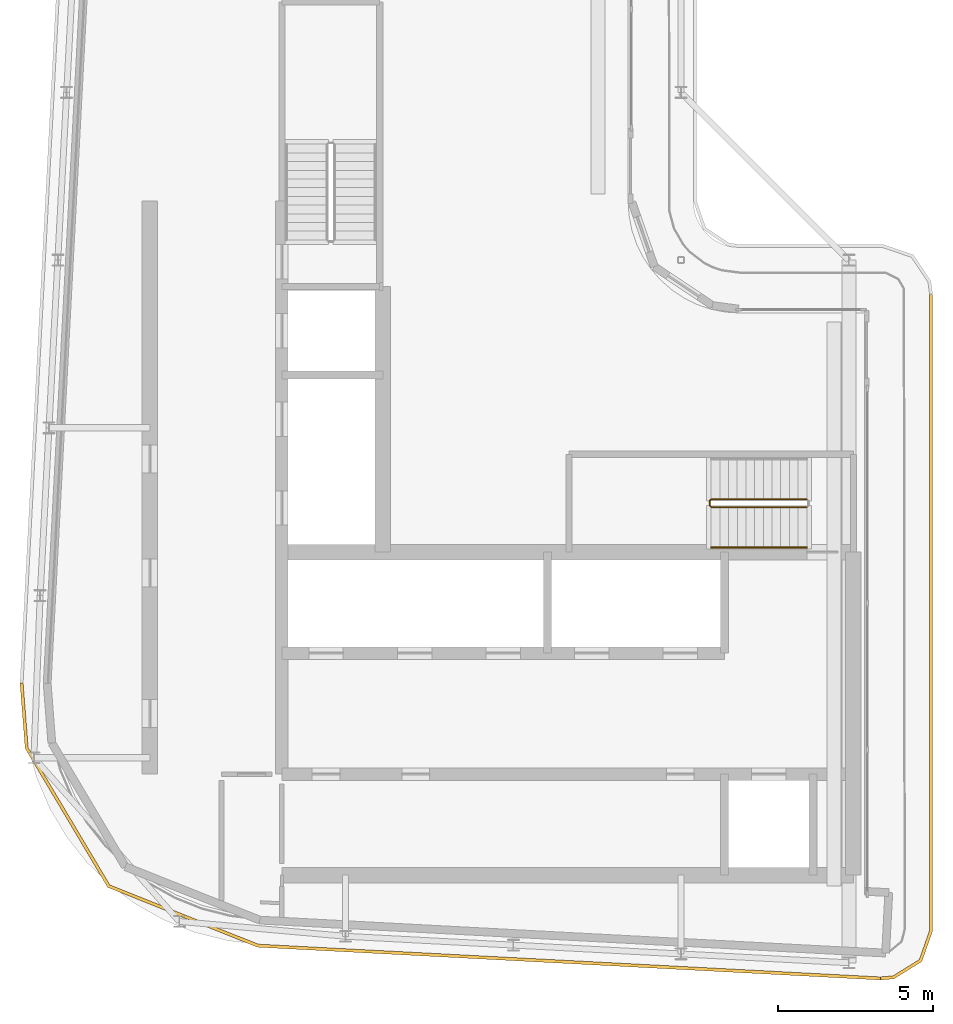
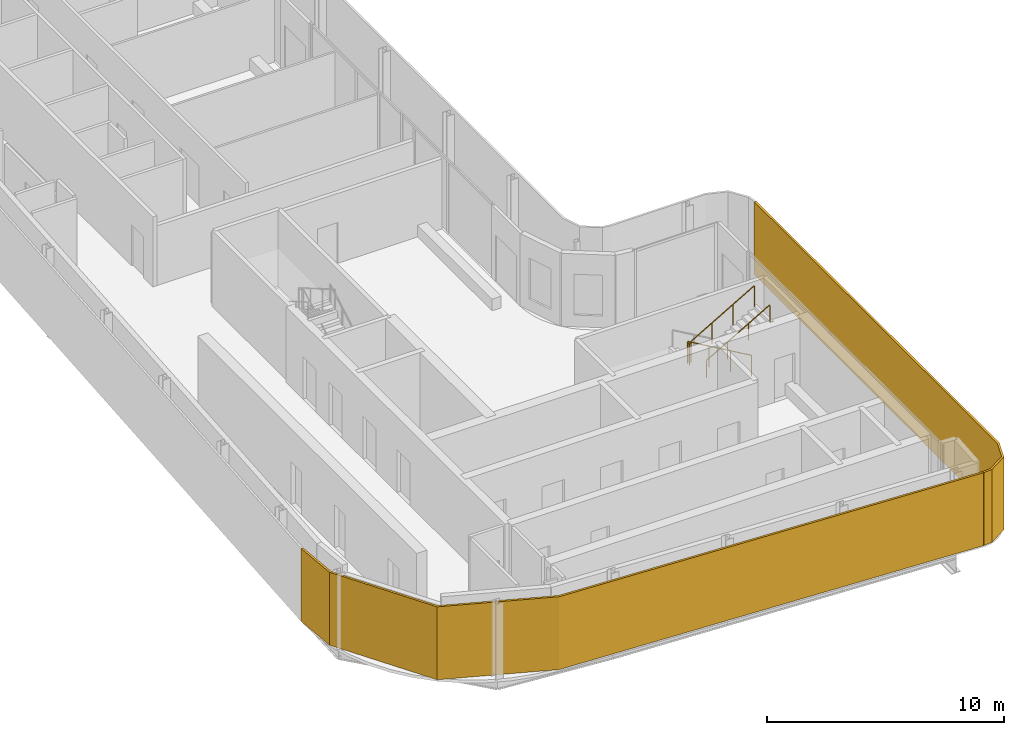
# One storey, part 13 of 18: 2 railings, 2 shading devices.
"""IFC4 building model written with IfcOpenShell, lengths in metres."""

from ifc_helpers import new_model, si_unit, direction, frame, origin, origin_2d, place, context, subcontext, project, spatial, polyline, circle, outline, extrude, material, layer, layer_set, type_object, element, save


model = new_model("IFC4")

# Units and contexts
model_context = context("Model", 3, precision=1e-05, world=origin(), true_north=direction((0.0, 1.0)))
body_context = subcontext(model_context, "Body", "Model", "MODEL_VIEW")
ifc_project = project(units=[si_unit("LENGTHUNIT", "METRE"), si_unit("AREAUNIT", "SQUARE_METRE"), si_unit("VOLUMEUNIT", "CUBIC_METRE"), si_unit("PLANEANGLEUNIT", "RADIAN"), si_unit("MASSUNIT", "GRAM", prefix="KILO")], contexts=[model_context])

# Site, building, storey
site_placement = place(None, origin())
site = spatial("IfcSite", under=ifc_project, at=site_placement, CompositionType="ELEMENT")
building_placement = place(site_placement, origin())
building = spatial("IfcBuilding", under=site, at=building_placement, Name="Kheshtan School and Residences Tower", CompositionType="ELEMENT")
storey_placement = place(building_placement, frame((0.0, 0.0, 385.10009765625)))
storey = spatial("IfcBuildingStorey", under=building, at=storey_placement, Name="L91", CompositionType="ELEMENT", Elevation=385.10009765625)

# Shading devices
ifc_material_1 = material(Name="Terracotta baguette, extruded ceramic", Category="masonry")
ifc_layer_1 = layer(ifc_material_1, 0.10009765625)
ifc_layer_set_1 = layer_set([ifc_layer_1], Name="Ledge screen, terracotta baguettes")
shading_device_type_1 = type_object("IfcShadingDeviceType", Name="Ledge screen, terracotta baguettes", PredefinedType="USERDEFINED", material=ifc_layer_set_1)
shading_device_1_placement = place(storey_placement, origin())
element("IfcShadingDevice", 1, at=shading_device_1_placement, inside=storey, type_object=shading_device_type_1, Name="Screen L91 3", ObjectType="BAGUETTE", PredefinedType="USERDEFINED", context=body_context, shape_type="SweptSolid", body=[
    extrude(outline(polyline([(54.02099609375, 22.52490234375), (33.989013671875, 23.580078125), (29.2119140625, 25.486083984375), (26.583984375, 29.906982421875), (26.419921875, 31.989013671875), (26.320068359375, 31.98095703125), (26.486083984375, 29.8759765625), (29.14306640625, 25.406005859375), (33.967041015625, 23.48095703125), (54.01611328125, 22.425048828125), (54.02099609375, 22.52490234375)])), origin(), (0.0, 0.0, 1.0), 3.75),
])
ifc_material_2 = material(Name="Terracotta lattice, extruded ceramic", Category="masonry")
ifc_layer_2 = layer(ifc_material_2, 0.10009765625)
ifc_layer_set_2 = layer_set([ifc_layer_2], Name="Loggia screen, terracotta lattice")
shading_device_type_2 = type_object("IfcShadingDeviceType", Name="Loggia screen, terracotta lattice", PredefinedType="USERDEFINED", material=ifc_layer_set_2)
shading_device_2_placement = place(storey_placement, origin())
element("IfcShadingDevice", 2, at=shading_device_2_placement, inside=storey, type_object=shading_device_type_2, Name="Screen L91 2", ObjectType="SCREEN", PredefinedType="USERDEFINED", context=body_context, shape_type="SweptSolid", body=[
    extrude(outline(polyline([(55.60009765625, 44.5), (55.60009765625, 24.02294921875), (55.27001953125, 23.083984375), (54.424072265625, 22.55908203125), (54.02099609375, 22.52490234375), (54.029052734375, 22.425048828125), (54.4560546875, 22.4609375), (55.35302734375, 23.01806640625), (55.699951171875, 24.006103515625), (55.699951171875, 44.5), (55.60009765625, 44.5)])), origin(), (0.0, 0.0, 1.0), 3.75),
])

# Railings
ifc_material_3 = material(Name="Stainless steel balustrade", Category="steel")
railing_type_1 = type_object("IfcRailingType", Name="Stair guard 1100", PredefinedType="GUARDRAIL", material=ifc_material_3)
railing_1_placement = place(storey_placement, frame((51.64990234375, 37.89990234375, 0.162353515625)))
element("IfcRailing", 3, at=railing_1_placement, inside=storey, type_object=railing_type_1, Name="L91 ST1 stair guard 1", PredefinedType="GUARDRAIL", context=body_context, shape_type="SweptSolid", body=[
    extrude(circle(Radius=0.02392578125, at=origin_2d()), frame((0.0, 0.0, 1.076171875), z_axis=(-0.864873446163, 0.0, 0.501989962173), x_axis=(0.0, -1.0, 0.0)), (0.0, 0.0, 1.0), 3.56103515625),
    extrude(circle(Radius=0.02392578125, at=origin_2d()), frame((-3.079833984375, 0.0, 2.86376953125), z_axis=(-0.708833529934, -0.705375805398, 0.0), x_axis=(0.705375805398, -0.708833529934, 0.0)), (0.0, 0.0, 1.0), 0.070556640625),
    extrude(circle(Radius=0.02392578125, at=origin_2d()), frame((-3.1298828125, -0.0498046875, 2.86376953125), z_axis=(0.0, -1.0, 0.0), x_axis=(1.0, 0.0, 0.0)), (0.0, 0.0, 1.0), 0.150146484375),
    extrude(circle(Radius=0.02392578125, at=origin_2d()), frame((-3.1298828125, -0.199951171875, 2.86376953125), z_axis=(0.282583949758, -0.282583949758, 0.916674763849), x_axis=(0.707106781187, 0.707106781187, 0.0)), (0.0, 0.0, 1.0), 0.177001953125),
    extrude(circle(Radius=0.02392578125, at=origin_2d()), frame((-3.079833984375, -0.25, 3.02587890625), z_axis=(0.864873446163, 0.0, 0.501989962173), x_axis=(0.0, 1.0, 0.0)), (0.0, 0.0, 1.0), 3.56103515625),
    extrude(circle(Radius=0.02099609375, at=origin_2d()), origin(), (0.0, 0.0, 1.0), 1.052001953125),
    extrude(circle(Radius=0.02099609375, at=origin_2d()), frame((-1.026611328125, 0.0, 0.595947265625)), (0.0, 0.0, 1.0), 1.052001953125),
    extrude(circle(Radius=0.02099609375, at=origin_2d()), frame((-2.05322265625, 0.0, 1.191650390625)), (0.0, 0.0, 1.0), 1.052001953125),
    extrude(circle(Radius=0.02099609375, at=origin_2d()), frame((-3.079833984375, 0.0, 1.78759765625)), (0.0, 0.0, 1.0), 1.052001953125),
    extrude(circle(Radius=0.02099609375, at=origin_2d()), frame((-3.1298828125, -0.0498046875, 1.78759765625)), (0.0, 0.0, 1.0), 1.052001953125),
    extrude(circle(Radius=0.02099609375, at=origin_2d()), frame((-3.1298828125, -0.199951171875, 1.78759765625)), (0.0, 0.0, 1.0), 1.052001953125),
    extrude(circle(Radius=0.02099609375, at=origin_2d()), frame((-3.079833984375, -0.25, 1.949951171875)), (0.0, 0.0, 1.0), 1.052001953125),
    extrude(circle(Radius=0.02099609375, at=origin_2d()), frame((-2.05322265625, -0.25, 2.5458984375)), (0.0, 0.0, 1.0), 1.052001953125),
    extrude(circle(Radius=0.02099609375, at=origin_2d()), frame((-1.026611328125, -0.25, 3.1416015625)), (0.0, 0.0, 1.0), 1.052001953125),
    extrude(circle(Radius=0.02099609375, at=origin_2d()), frame((0.0, -0.25, 3.737548828125)), (0.0, 0.0, 1.0), 1.052001953125),
])
ifc_material_4 = material(Name="Stainless steel handrail", Category="steel")
railing_type_2 = type_object("IfcRailingType", Name="Stair handrail 900", PredefinedType="HANDRAIL", material=ifc_material_4)
railing_2_placement = place(storey_placement, frame((48.570068359375, 36.35009765625, 2.1123046875)))
element("IfcRailing", 4, at=railing_2_placement, inside=storey, type_object=railing_type_2, Name="L91 ST1 stair handrail 2", PredefinedType="HANDRAIL", context=body_context, shape_type="SweptSolid", body=[
    extrude(circle(Radius=0.02392578125, at=origin_2d()), frame((0.0, 0.0, 0.8759765625), z_axis=(0.864873446163, 0.0, 0.501989962173), x_axis=(0.0, 1.0, 0.0)), (0.0, 0.0, 1.0), 3.56103515625),
    extrude(circle(Radius=0.02099609375, at=origin_2d()), origin(), (0.0, 0.0, 1.0), 0.851806640625),
    extrude(circle(Radius=0.02099609375, at=origin_2d()), frame((1.026611328125, 0.0, 0.595947265625)), (0.0, 0.0, 1.0), 0.851806640625),
    extrude(circle(Radius=0.02099609375, at=origin_2d()), frame((2.05322265625, 0.0, 1.191650390625)), (0.0, 0.0, 1.0), 0.851806640625),
    extrude(circle(Radius=0.02099609375, at=origin_2d()), frame((3.079833984375, 0.0, 1.78759765625)), (0.0, 0.0, 1.0), 0.851806640625),
])

save(model, "model.ifc")
